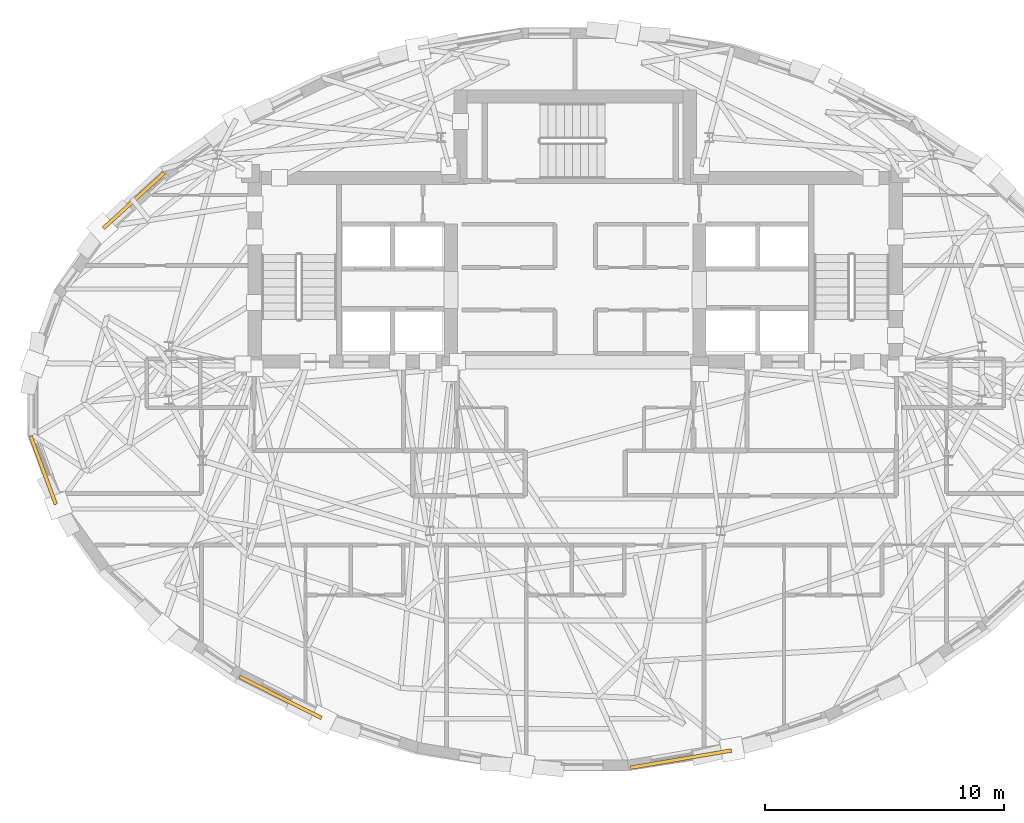
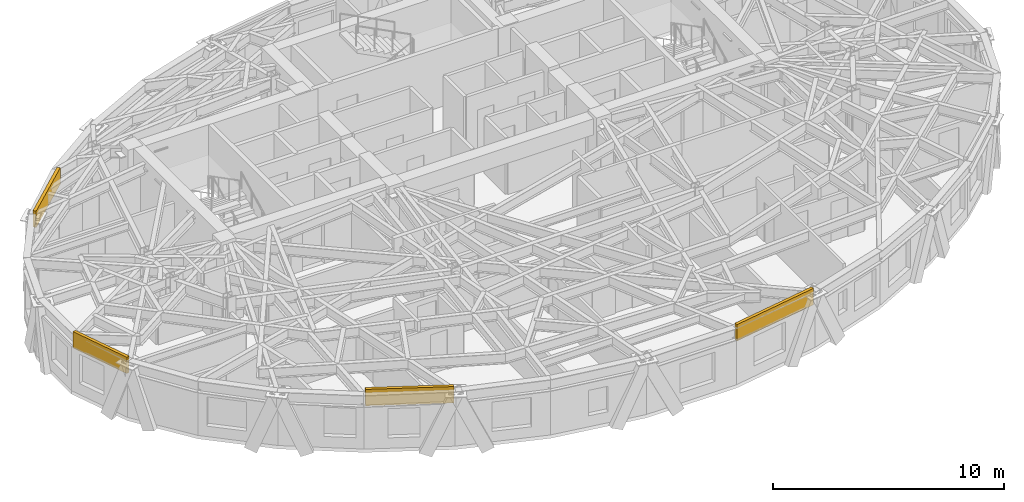
# One storey, part 12 of 14: 4 coverings.
"""IFC4 building model written with IfcOpenShell, lengths in metres."""

from ifc_helpers import new_model, si_unit, direction, frame, origin, origin_2d, place, context, subcontext, project, spatial, rectangle, extrude, material, layer, layer_set, type_object, element, save


model = new_model("IFC4")

# Units and contexts
model_context = context("Model", 3, precision=1e-05, world=origin(), true_north=direction((0.0, 1.0)))
body_context = subcontext(model_context, "Body", "Model", "MODEL_VIEW")
ifc_project = project(units=[si_unit("LENGTHUNIT", "METRE"), si_unit("AREAUNIT", "SQUARE_METRE"), si_unit("VOLUMEUNIT", "CUBIC_METRE"), si_unit("PLANEANGLEUNIT", "RADIAN"), si_unit("MASSUNIT", "GRAM", prefix="KILO")], contexts=[model_context])

# Site, building, storey
site_placement = place(None, origin())
site = spatial("IfcSite", under=ifc_project, at=site_placement, CompositionType="ELEMENT")
building_placement = place(site_placement, origin())
building = spatial("IfcBuilding", under=site, at=building_placement, Name="Keldmark Tower", CompositionType="ELEMENT")
storey_placement = place(building_placement, frame((0.0, 0.0, 222.60009765625)))
storey = spatial("IfcBuildingStorey", under=building, at=storey_placement, Name="L62", CompositionType="ELEMENT", Elevation=222.60009765625)

# Coverings
ifc_material = material(Name="Honed Kasota Buff Dolomitic Limestone", Category="masonry")
ifc_layer = layer(ifc_material, 0.074951171875)
ifc_layer_set = layer_set([ifc_layer], Name="Honed Kasota Buff Dolomitic Limestone")
covering_type = type_object("IfcCoveringType", Name="Kasota Buff Limestone Spandrel Cladding Band", PredefinedType="CLADDING", material=ifc_layer_set)
covering_1_placement = place(storey_placement, frame((-18.489013671875, 8.321533203125, 2.259765625), z_axis=(0.0, 0.0, 1.0), x_axis=(-0.738902392461, -0.673812477189, 0.0)))
element("IfcCovering", 1, at=covering_1_placement, inside=storey, type_object=covering_type, Name="L62 Kasota Limestone Spandrel Band 13", PredefinedType="CLADDING", context=body_context, shape_type="SweptSolid", body=[
    extrude(rectangle(XDim=3.43505859375, YDim=0.14990234375, at=origin_2d()), origin(), (0.0, 0.0, 1.0), 0.8701171875),
])
covering_2_placement = place(storey_placement, frame((-22.28369140625, -2.97412109375, 2.259765625), z_axis=(0.0, 0.0, 1.0), x_axis=(0.346755583431, -0.93795552419, 0.0)))
element("IfcCovering", 2, at=covering_2_placement, inside=storey, type_object=covering_type, Name="L62 Kasota Limestone Spandrel Band 17", PredefinedType="CLADDING", context=body_context, shape_type="SweptSolid", body=[
    extrude(rectangle(XDim=3.037109375, YDim=0.14990234375, at=origin_2d()), origin(), (0.0, 0.0, 1.0), 0.8701171875),
])
covering_3_placement = place(storey_placement, frame((-12.3408203125, -12.4912109375, 2.259765625), z_axis=(0.0, 0.0, 1.0), x_axis=(0.892861077314, -0.450332206951, 0.0)))
element("IfcCovering", 3, at=covering_3_placement, inside=storey, type_object=covering_type, Name="L62 Kasota Limestone Spandrel Band 21", PredefinedType="CLADDING", context=body_context, shape_type="SweptSolid", body=[
    extrude(rectangle(XDim=3.8359375, YDim=0.14990234375, at=origin_2d()), origin(), (0.0, 0.0, 1.0), 0.8701171875),
])
covering_4_placement = place(storey_placement, frame((4.42333984375, -15.073974609375, 2.259765625), z_axis=(0.0, 0.0, 1.0), x_axis=(0.985850128464, 0.167629126969, 0.0)))
element("IfcCovering", 4, at=covering_4_placement, inside=storey, type_object=covering_type, Name="L62 Kasota Limestone Spandrel Band 25", PredefinedType="CLADDING", context=body_context, shape_type="SweptSolid", body=[
    extrude(rectangle(XDim=4.308837890625, YDim=0.14990234375, at=origin_2d()), origin(), (0.0, 0.0, 1.0), 0.8701171875),
])

save(model, "model.ifc")
